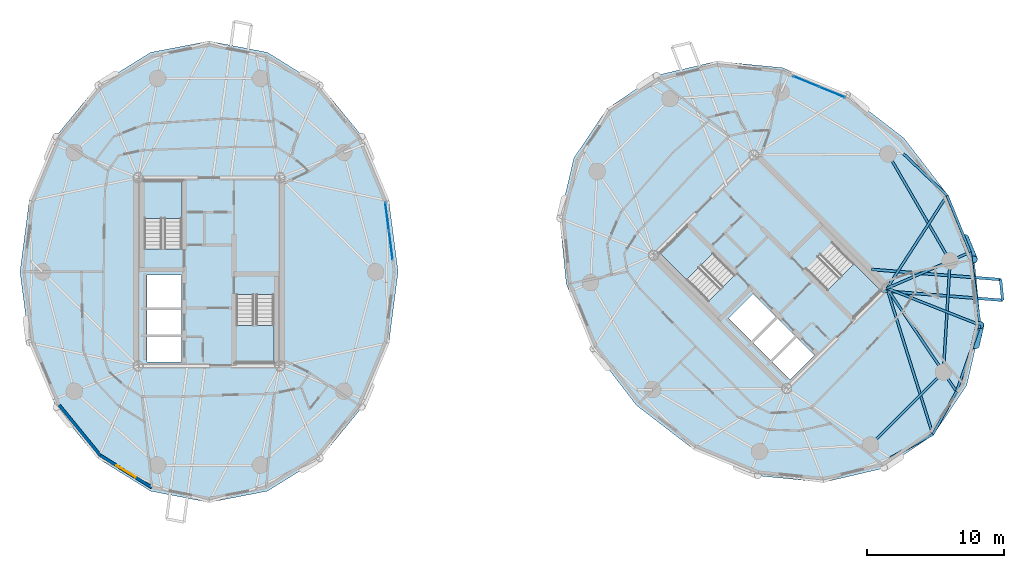
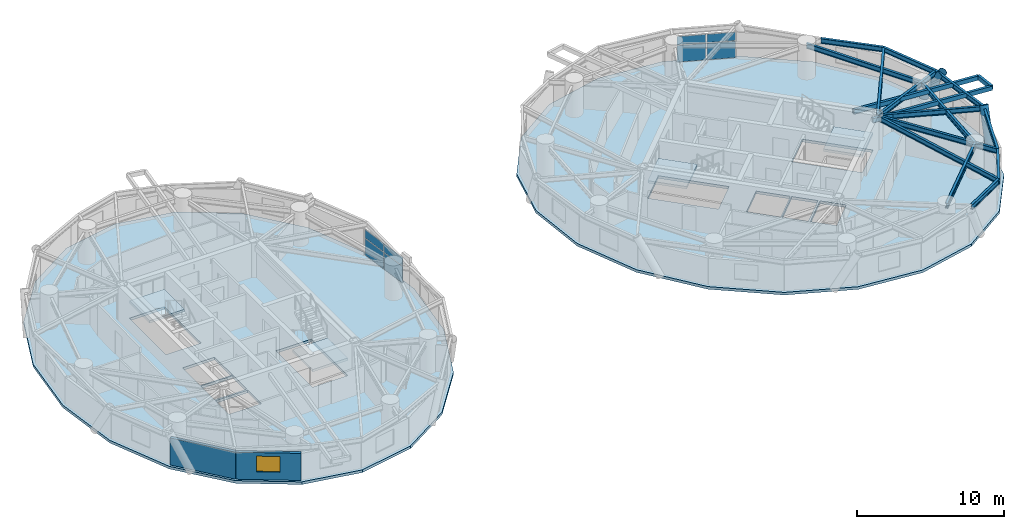
# One storey, part 8 of 17: 17 beams, 8 plates, 6 slabs, 2 members, 2 walls, 1 window, 1 opening, 6 elements without a shape of their own.
"""IFC4 building model written with IfcOpenShell, lengths in metres."""

from ifc_helpers import new_model, si_unit, direction, frame, frame_2d, origin, origin_2d, place, context, subcontext, project, spatial, polyline, rectangle, hollow_rectangle, hollow_circle, i_section, outline, extrude, source, transform, mapped, material, layer, layer_set, material_profile, profile_set, type_object, element, fill, aggregate, save


model = new_model("IFC4")

# Units and contexts
model_context = context("Model", 3, precision=1e-05, world=origin(), true_north=direction((0.0, 1.0)))
body_context = subcontext(model_context, "Body", "Model", "MODEL_VIEW")
ifc_project = project(units=[si_unit("LENGTHUNIT", "METRE"), si_unit("AREAUNIT", "SQUARE_METRE"), si_unit("VOLUMEUNIT", "CUBIC_METRE"), si_unit("PLANEANGLEUNIT", "RADIAN"), si_unit("MASSUNIT", "GRAM", prefix="KILO")], contexts=[model_context])

# Site, building, storey
site_placement = place(None, origin())
site = spatial("IfcSite", under=ifc_project, at=site_placement, CompositionType="ELEMENT")
building_placement = place(site_placement, origin())
building = spatial("IfcBuilding", under=site, at=building_placement, Name="Cununo Teusaquillo Station Towers", CompositionType="ELEMENT")
storey_placement = place(building_placement, frame((0.0, 0.0, 174.8798828125)))
storey = spatial("IfcBuildingStorey", under=building, at=storey_placement, Name="L55", CompositionType="ELEMENT", Elevation=174.8798828125)

# Beams
ifc_material_1 = material(Name="Steel EN 10025-2 S355J2", Category="steel")
ifc_material_profile_1 = material_profile(ifc_material_1, hollow_rectangle(XDim=0.199951171875, YDim=0.35009765625, WallThickness=0.013916015625, at=origin_2d()), Name="RHS 350x200x14")
ifc_profile_set_1 = profile_set([ifc_material_profile_1], Name="Steel EN 10025-2 S355J2")
beam_type_1 = type_object("IfcBeamType", Name="BM-BAL-CANT", PredefinedType="BEAM", material=ifc_profile_set_1)
beam_1_placement = place(storey_placement, frame((65.52392578125, 23.119384765625, 2.51513671875), z_axis=(0.996935259879, -0.078230988808, 0.0), x_axis=(0.078230988808, 0.996935259879, 0.0)))
element("IfcBeam", 1, at=beam_1_placement, inside=storey, type_object=beam_type_1, Name="L55 Tower B Balcony Cantilever Bracket 2A", PredefinedType="BEAM", context=body_context, shape_type="SweptSolid", body=[
    extrude(hollow_rectangle(XDim=0.199951171875, YDim=0.35009765625, WallThickness=0.013916015625, at=origin_2d()), origin(), (0.0, 0.0, 1.0), 8.978515625),
])
beam_2_placement = place(storey_placement, frame((64.895751953125, 24.670166015625, 2.51513671875), z_axis=(0.996934707517, -0.07823802751, 0.0), x_axis=(0.07823802751, 0.996934707517, 0.0)))
element("IfcBeam", 2, at=beam_2_placement, inside=storey, type_object=beam_type_1, Name="L55 Tower B Balcony Cantilever Bracket 2B", PredefinedType="BEAM", context=body_context, shape_type="SweptSolid", body=[
    extrude(hollow_rectangle(XDim=0.199951171875, YDim=0.35009765625, WallThickness=0.013916015625, at=origin_2d()), origin(), (0.0, 0.0, 1.0), 9.458251953125),
])
ifc_material_2 = material(Name="Steel ASTM A572 Grade 50", Category="steel")
ifc_material_profile_2 = material_profile(ifc_material_2, i_section(OverallWidth=0.180908203125, OverallDepth=0.4169921875, WebThickness=0.010986328125, FlangeThickness=0.018310546875, FilletRadius=0.012939453125, at=origin_2d()), Name="W16X57")
ifc_profile_set_2 = profile_set([ifc_material_profile_2], Name="Steel ASTM A572 Grade 50")
beam_type_2 = type_object("IfcBeamType", Name="BM-JOIST-1", PredefinedType="JOIST", material=ifc_profile_set_2)
beam_3_placement = place(storey_placement, frame((66.024169921875, 23.29443359375, 2.481689453125), z_axis=(0.29947962656, -0.954102695351, 0.0), x_axis=(0.954102695351, 0.29947962656, 0.0)))
element("IfcBeam", 3, at=beam_3_placement, inside=storey, type_object=beam_type_2, Name="L55 Tower B Radial Spandrel Joist V15", PredefinedType="JOIST", context=body_context, shape_type="SweptSolid", body=[
    extrude(i_section(OverallWidth=0.180908203125, OverallDepth=0.4169921875, WebThickness=0.010986328125, FlangeThickness=0.018310546875, FilletRadius=0.012939453125, at=origin_2d()), origin(), (0.0, 0.0, 1.0), 11.179931640625),
])
beam_4_placement = place(storey_placement, frame((66.024169921875, 23.29443359375, 2.481689453125), z_axis=(0.93009004426, -0.367331607091, 0.0), x_axis=(0.367331607091, 0.93009004426, 0.0)))
element("IfcBeam", 4, at=beam_4_placement, inside=storey, type_object=beam_type_2, Name="L55 Tower B Radial Spandrel Joist V17", PredefinedType="JOIST", context=body_context, shape_type="SweptSolid", body=[
    extrude(i_section(OverallWidth=0.180908203125, OverallDepth=0.4169921875, WebThickness=0.010986328125, FlangeThickness=0.018310546875, FilletRadius=0.012939453125, at=origin_2d()), origin(), (0.0, 0.0, 1.0), 7.306884765625),
])
beam_5_placement = place(storey_placement, frame((66.024169921875, 23.29443359375, 2.481689453125), z_axis=(0.543440395394, 0.839447756954, 0.0), x_axis=(-0.839447756954, 0.543440395394, 0.0)))
element("IfcBeam", 5, at=beam_5_placement, inside=storey, type_object=beam_type_2, Name="L55 Tower B Radial Spandrel Joist V19", PredefinedType="JOIST", context=body_context, shape_type="SweptSolid", body=[
    extrude(i_section(OverallWidth=0.180908203125, OverallDepth=0.4169921875, WebThickness=0.010986328125, FlangeThickness=0.018310546875, FilletRadius=0.012939453125, at=origin_2d()), origin(), (0.0, 0.0, 1.0), 8.08203125),
])
ifc_material_3 = material(Name="Steel ASTM A572 Grade 50", Category="steel")
ifc_material_profile_3 = material_profile(ifc_material_3, i_section(OverallWidth=0.180908203125, OverallDepth=0.4169921875, WebThickness=0.010986328125, FlangeThickness=0.018310546875, FilletRadius=0.012939453125, at=origin_2d()), Name="W16X57")
ifc_profile_set_3 = profile_set([ifc_material_profile_3], Name="Steel ASTM A572 Grade 50")
beam_type_3 = type_object("IfcBeamType", Name="BM-RAD-G2", PredefinedType="BEAM", material=ifc_profile_set_3)
beam_6_placement = place(storey_placement, frame((66.024169921875, 23.29443359375, 2.481689453125), z_axis=(0.558570989907, -0.829456719326, 0.0), x_axis=(0.829456719326, 0.558570989907, 0.0)))
element("IfcBeam", 6, at=beam_6_placement, inside=storey, type_object=beam_type_3, Name="L55 Tower B Continuous Overhanging Radial Girder 09", PredefinedType="BEAM", context=body_context, shape_type="SweptSolid", body=[
    extrude(i_section(OverallWidth=0.180908203125, OverallDepth=0.4169921875, WebThickness=0.010986328125, FlangeThickness=0.018310546875, FilletRadius=0.012939453125, at=origin_2d()), origin(), (0.0, 0.0, 1.0), 9.097412109375),
])
beam_7_placement = place(storey_placement, frame((66.024169921875, 23.29443359375, 2.481689453125), z_axis=(0.917664823247, 0.397355347486, 0.0), x_axis=(-0.397355347486, 0.917664823247, 0.0)))
element("IfcBeam", 7, at=beam_7_placement, inside=storey, type_object=beam_type_3, Name="L55 Tower B Continuous Overhanging Radial Girder 10", PredefinedType="BEAM", context=body_context, shape_type="SweptSolid", body=[
    extrude(i_section(OverallWidth=0.180908203125, OverallDepth=0.4169921875, WebThickness=0.010986328125, FlangeThickness=0.018310546875, FilletRadius=0.012939453125, at=origin_2d()), origin(), (0.0, 0.0, 1.0), 6.632080078125),
])
ifc_material_4 = material(Name="Steel ASTM A572 Grade 50", Category="steel")
ifc_material_profile_4 = material_profile(ifc_material_4, i_section(OverallWidth=0.180908203125, OverallDepth=0.4169921875, WebThickness=0.010986328125, FlangeThickness=0.018310546875, FilletRadius=0.012939453125, at=origin_2d()), Name="W16X57")
ifc_profile_set_4 = profile_set([ifc_material_profile_4], Name="Steel ASTM A572 Grade 50")
beam_type_4 = type_object("IfcBeamType", Name="BM-RING-Z3", PredefinedType="SPANDREL", material=ifc_profile_set_4)
beam_8_placement = place(storey_placement, frame((64.826904296875, 11.853759765625, 2.481689453125), z_axis=(0.707106781187, 0.707106781187, 0.0), x_axis=(-0.707106781187, 0.707106781187, 0.0)))
element("IfcBeam", 8, at=beam_8_placement, inside=storey, type_object=beam_type_4, Name="L55 Tower B Structural Column Ring Girder 08", PredefinedType="SPANDREL", context=body_context, shape_type="SweptSolid", body=[
    extrude(i_section(OverallWidth=0.180908203125, OverallDepth=0.4169921875, WebThickness=0.010986328125, FlangeThickness=0.018310546875, FilletRadius=0.012939453125, at=origin_2d()), origin(), (0.0, 0.0, 1.0), 7.522705078125),
])
beam_9_placement = place(storey_placement, frame((70.146240234375, 17.173095703125, 2.481689453125), z_axis=(0.06012979176, 0.998190567048, 0.0), x_axis=(-0.998190567048, 0.06012979176, 0.0)))
element("IfcBeam", 9, at=beam_9_placement, inside=storey, type_object=beam_type_4, Name="L55 Tower B Structural Column Ring Girder 09", PredefinedType="SPANDREL", context=body_context, shape_type="SweptSolid", body=[
    extrude(i_section(OverallWidth=0.180908203125, OverallDepth=0.4169921875, WebThickness=0.010986328125, FlangeThickness=0.018310546875, FilletRadius=0.012939453125, at=origin_2d()), origin(), (0.0, 0.0, 1.0), 8.132568359375),
])
beam_10_placement = place(storey_placement, frame((70.63525390625, 25.291015625, 2.481689453125), z_axis=(-0.501311121078, 0.865267103202, 0.0), x_axis=(-0.865267103202, -0.501311121078, 0.0)))
element("IfcBeam", 10, at=beam_10_placement, inside=storey, type_object=beam_type_4, Name="L55 Tower B Structural Column Ring Girder 10", PredefinedType="SPANDREL", context=body_context, shape_type="SweptSolid", body=[
    extrude(i_section(OverallWidth=0.180908203125, OverallDepth=0.4169921875, WebThickness=0.010986328125, FlangeThickness=0.018310546875, FilletRadius=0.012939453125, at=origin_2d()), origin(), (0.0, 0.0, 1.0), 9.032958984375),
])
for number, where, z_axis, x_axis, name in (
    (11, (66.25146484375, 10.894287109375, 2.481689453125), (0.874205659621, 0.485555830659, 0.0), (-0.485555830659, 0.874205659621, 0.0), "L55 Tower B Spandrel Ring Beam 15"),
    (12, (69.372314453125, 12.627685546875, 2.481689453125), (0.485555830659, 0.874205659621, 0.0), (-0.874205659621, 0.485555830659, 0.0), "L55 Tower B Spandrel Ring Beam 16"),
):
    element("IfcBeam", number, at=place(storey_placement, frame(where, z_axis=z_axis, x_axis=x_axis)), inside=storey, type_object=beam_type_4, Name=name, PredefinedType="SPANDREL", context=body_context, shape_type="SweptSolid", body=[
        extrude(i_section(OverallWidth=0.180908203125, OverallDepth=0.4169921875, WebThickness=0.010986328125, FlangeThickness=0.018310546875, FilletRadius=0.012939453125, at=origin_2d()), origin(), (0.0, 0.0, 1.0), 3.56982421875),
    ])
beam_11_placement = place(storey_placement, frame((71.105712890625, 15.74853515625, 2.481689453125), z_axis=(0.332589733158, 0.943071614141, 0.0), x_axis=(-0.943071614141, 0.332589733158, 0.0)))
element("IfcBeam", 13, at=beam_11_placement, inside=storey, type_object=beam_type_4, Name="L55 Tower B Spandrel Ring Beam 17", PredefinedType="SPANDREL", context=body_context, shape_type="SweptSolid", body=[
    extrude(i_section(OverallWidth=0.180908203125, OverallDepth=0.4169921875, WebThickness=0.010986328125, FlangeThickness=0.018310546875, FilletRadius=0.012939453125, at=origin_2d()), origin(), (0.0, 0.0, 1.0), 5.1552734375),
])
beam_12_placement = place(storey_placement, frame((72.8203125, 20.6103515625, 2.481689453125), z_axis=(-0.132339532096, 0.991204443213, 0.0), x_axis=(-0.991204443213, -0.132339532096, 0.0)))
element("IfcBeam", 14, at=beam_12_placement, inside=storey, type_object=beam_type_4, Name="L55 Tower B Spandrel Ring Beam 18", PredefinedType="SPANDREL", context=body_context, shape_type="SweptSolid", body=[
    extrude(i_section(OverallWidth=0.180908203125, OverallDepth=0.4169921875, WebThickness=0.010986328125, FlangeThickness=0.018310546875, FilletRadius=0.012939453125, at=origin_2d()), origin(), (0.0, 0.0, 1.0), 5.366455078125),
])
beam_13_placement = place(storey_placement, frame((72.110107421875, 25.9296875, 2.481689453125), z_axis=(-0.377956082264, 0.925823525235, 0.0), x_axis=(-0.925823525235, -0.377956082264, 0.0)))
element("IfcBeam", 15, at=beam_13_placement, inside=storey, type_object=beam_type_4, Name="L55 Tower B Spandrel Ring Beam 19", PredefinedType="SPANDREL", context=body_context, shape_type="SweptSolid", body=[
    extrude(i_section(OverallWidth=0.180908203125, OverallDepth=0.4169921875, WebThickness=0.010986328125, FlangeThickness=0.018310546875, FilletRadius=0.012939453125, at=origin_2d()), origin(), (0.0, 0.0, 1.0), 4.481689453125),
])
beam_14_placement = place(storey_placement, frame((70.416259765625, 30.078857421875, 2.481689453125), z_axis=(-0.723501643849, 0.690322657421, 0.0), x_axis=(-0.690322657421, -0.723501643849, 0.0)))
element("IfcBeam", 16, at=beam_14_placement, inside=storey, type_object=beam_type_4, Name="L55 Tower B Spandrel Ring Beam 20", PredefinedType="SPANDREL", context=body_context, shape_type="SweptSolid", body=[
    extrude(i_section(OverallWidth=0.180908203125, OverallDepth=0.4169921875, WebThickness=0.010986328125, FlangeThickness=0.018310546875, FilletRadius=0.012939453125, at=origin_2d()), origin(), (0.0, 0.0, 1.0), 4.400146484375),
])
ifc_material_5 = material(Name="Steel EN 10025-2 S355J2", Category="steel")
ifc_material_profile_5 = material_profile(ifc_material_5, hollow_rectangle(XDim=0.199951171875, YDim=0.35009765625, WallThickness=0.013916015625, at=origin_2d()), Name="RHS 350x200x14")
ifc_profile_set_5 = profile_set([ifc_material_profile_5], Name="Steel EN 10025-2 S355J2")
beam_type_5 = type_object("IfcBeamType", Name="BM-STAIR-TRIM", PredefinedType="BEAM", material=ifc_profile_set_5)
beam_15_placement = place(storey_placement, frame((74.474853515625, 22.4169921875, 2.525146484375), z_axis=(-0.098581668887, 0.995128963783, 0.0), x_axis=(-0.995128963783, -0.098581668887, 0.0)))
element("IfcBeam", 17, at=beam_15_placement, inside=storey, type_object=beam_type_5, Name="L55 Tower B Balcony Edge Trimmer Beam 2", PredefinedType="BEAM", context=body_context, shape_type="SweptSolid", body=[
    extrude(hollow_rectangle(XDim=0.199951171875, YDim=0.35009765625, WallThickness=0.013916015625, at=origin_2d()), origin(), (0.0, 0.0, 1.0), 1.5205078125),
])

# Members
ifc_material_6 = material(Name="Steel EN 10025-2 S355J2", Category="steel")
ifc_material_profile_6 = material_profile(ifc_material_6, hollow_circle(Radius=0.304931640625, WallThickness=0.02001953125, at=origin_2d()), Name="CHS 610x20")
ifc_profile_set_6 = profile_set([ifc_material_profile_6], Name="Steel EN 10025-2 S355J2")
member_type = type_object("IfcMemberType", Name="MBR-DIAG-Z3", PredefinedType="BRACE", material=ifc_profile_set_6)
member_1_placement = place(storey_placement, frame((72.478759765625, 19.144775390625, -0.139892578125), z_axis=(0.104259152832, 0.447367901679, 0.888252210579), x_axis=(-0.973902205409, 0.226968046871, 0.0)))
element("IfcMember", 18, at=member_1_placement, inside=storey, type_object=member_type, Name="L55 Tower B Folded-Zigzag Diagrid Tube C16", PredefinedType="BRACE", context=body_context, shape_type="SweptSolid", body=[
    extrude(hollow_circle(Radius=0.304931640625, WallThickness=0.02001953125, at=origin_2d()), origin(), (0.0, 0.0, 1.0), 3.27587890625),
])
member_2_placement = place(storey_placement, frame((71.701904296875, 26.95166015625, -0.139892578125), z_axis=(0.191014646417, -0.464587085322, 0.864680429411), x_axis=(0.924878366582, 0.380263076079, 0.0)))
element("IfcMember", 19, at=member_2_placement, inside=storey, type_object=member_type, Name="L55 Tower B Folded-Zigzag Diagrid Tube C18", PredefinedType="BRACE", context=body_context, shape_type="SweptSolid", body=[
    extrude(hollow_circle(Radius=0.304931640625, WallThickness=0.02001953125, at=origin_2d()), origin(), (0.0, 0.0, 1.0), 3.365234375),
])

# Stair, slab
ifc_material_7 = material(Name="Concrete C50/60", Category="concrete")
stair_type = type_object("IfcStairType", Name="ST-TWR-1300", PredefinedType="HALF_TURN_STAIR", material=ifc_material_7)
stair_1_placement = place(storey_placement, origin())
stair_1 = element("IfcStair", 20, at=stair_1_placement, inside=storey, type_object=stair_type, Name="L55 Tower A Protected Core Exit Stair 1", PredefinedType="HALF_TURN_STAIR")
ifc_material_8 = material(Name="Concrete C50/60", Category="concrete")
ifc_layer_1 = layer(ifc_material_8, 0.199951171875)
ifc_layer_set_1 = layer_set([ifc_layer_1], Name="Concrete C50/60")
slab_type_1 = type_object("IfcSlabType", Name="SLB-STAIR-LND", PredefinedType="LANDING", material=ifc_layer_set_1)
slab_1_placement = place(storey_placement, frame((0.0, 0.0, 1.255126953125)))
slab_1 = element("IfcSlab", 21, at=slab_1_placement, type_object=slab_type_1, Name="ST-T1-1 landing 1", PredefinedType="LANDING", context=body_context, shape_type="SweptSolid", body=[
    extrude(outline(polyline([(14.52001953125, 28.409912109375), (14.52001953125, 31.159912109375), (11.760009765625, 31.159912109375), (11.760009765625, 28.409912109375), (14.52001953125, 28.409912109375)])), origin(), (0.0, 0.0, 1.0), 0.199951171875),
])
aggregate(stair_1, [slab_1])

stair_2_placement = place(storey_placement, origin())
stair_2 = element("IfcStair", 22, at=stair_2_placement, inside=storey, type_object=stair_type, Name="L55 Tower A Protected Core Exit Stair 2", PredefinedType="HALF_TURN_STAIR")
slab_2_placement = place(storey_placement, frame((0.0, 0.0, 1.255126953125)))
slab_2 = element("IfcSlab", 23, at=slab_2_placement, type_object=slab_type_1, Name="ST-T1-2 landing 1", PredefinedType="LANDING", context=body_context, shape_type="SweptSolid", body=[
    extrude(outline(polyline([(18.47998046875, 20.590087890625), (18.47998046875, 17.840087890625), (21.239990234375, 17.840087890625), (21.239990234375, 20.590087890625), (18.47998046875, 20.590087890625)])), origin(), (0.0, 0.0, 1.0), 0.199951171875),
])
aggregate(stair_2, [slab_2])

stair_3_placement = place(storey_placement, origin())
stair_3 = element("IfcStair", 24, at=stair_3_placement, inside=storey, type_object=stair_type, Name="L55 Tower B Protected Core Exit Stair 1", PredefinedType="HALF_TURN_STAIR")
slab_3_placement = place(storey_placement, frame((0.0, 0.0, 1.255126953125)))
slab_3 = element("IfcSlab", 25, at=slab_3_placement, type_object=slab_type_1, Name="ST-T2-1 landing 1", PredefinedType="LANDING", context=body_context, shape_type="SweptSolid", body=[
    extrude(outline(polyline([(53.335205078125, 25.86474609375), (51.390625, 27.809326171875), (49.43896484375, 25.857666015625), (51.383544921875, 23.9130859375), (53.335205078125, 25.86474609375)])), origin(), (0.0, 0.0, 1.0), 0.199951171875),
])
aggregate(stair_3, [slab_3])

stair_4_placement = place(storey_placement, origin())
stair_4 = element("IfcStair", 26, at=stair_4_placement, inside=storey, type_object=stair_type, Name="L55 Tower B Protected Core Exit Stair 2", PredefinedType="HALF_TURN_STAIR")
slab_4_placement = place(storey_placement, frame((0.0, 0.0, 1.255126953125)))
slab_4 = element("IfcSlab", 27, at=slab_4_placement, type_object=slab_type_1, Name="ST-T2-2 landing 1", PredefinedType="LANDING", context=body_context, shape_type="SweptSolid", body=[
    extrude(outline(polyline([(61.664794921875, 23.13525390625), (63.609375, 21.190673828125), (65.56103515625, 23.142333984375), (63.616455078125, 25.0869140625), (61.664794921875, 23.13525390625)])), origin(), (0.0, 0.0, 1.0), 0.199951171875),
])
aggregate(stair_4, [slab_4])

# Slabs
ifc_material_9 = material(Name="Concrete C40/50", Category="concrete")
ifc_layer_2 = layer(ifc_material_9, 0.219970703125)
ifc_layer_set_2 = layer_set([ifc_layer_2], Name="Concrete C40/50")
slab_type_2 = type_object("IfcSlabType", Name="SLB-Z3-220", PredefinedType="FLOOR", material=ifc_layer_set_2)
slab_5_placement = place(storey_placement, frame((0.0, 0.0, -0.219970703125)))
element("IfcSlab", 28, at=slab_5_placement, inside=storey, type_object=slab_type_2, Name="L55 Tower A Floor Slab", PredefinedType="FLOOR", context=body_context, shape_type="SweptSolid", body=[
    extrude(outline(polyline([(30.31103515625, 24.5), (29.635009765625, 29.706787109375), (27.67333984375, 34.404296875), (24.617919921875, 38.1318359375), (20.767822265625, 40.525390625), (16.5, 41.35009765625), (12.232177734375, 40.525390625), (8.382080078125, 38.1318359375), (5.32666015625, 34.404296875), (3.364990234375, 29.706787109375), (2.68896484375, 24.5), (3.364990234375, 19.293212890625), (5.32666015625, 14.595703125), (8.382080078125, 10.8681640625), (12.232177734375, 8.474609375), (16.5, 7.64990234375), (20.767822265625, 8.474609375), (24.617919921875, 10.8681640625), (27.67333984375, 14.595703125), (29.635009765625, 19.293212890625), (30.31103515625, 24.5)]), holes=[polyline([(14.52001953125, 26.176025390625), (14.52001953125, 31.159912109375), (11.760009765625, 31.159912109375), (11.760009765625, 26.176025390625), (14.52001953125, 26.176025390625)]), polyline([(18.47998046875, 22.823974609375), (18.47998046875, 17.840087890625), (21.239990234375, 17.840087890625), (21.239990234375, 22.823974609375), (18.47998046875, 22.823974609375)]), polyline([(11.949951171875, 21.85009765625), (14.47998046875, 21.85009765625), (14.47998046875, 24.25), (11.949951171875, 24.25), (11.949951171875, 21.85009765625)]), polyline([(11.949951171875, 17.89990234375), (14.47998046875, 17.89990234375), (14.47998046875, 19.75), (11.949951171875, 19.75), (11.949951171875, 17.89990234375)]), polyline([(11.949951171875, 19.89990234375), (14.47998046875, 19.89990234375), (14.47998046875, 21.75), (11.949951171875, 21.75), (11.949951171875, 19.89990234375)])]), origin(), (0.0, 0.0, 1.0), 0.219970703125),
])
slab_6_placement = place(storey_placement, frame((0.0, 0.0, -0.219970703125)))
element("IfcSlab", 29, at=slab_6_placement, inside=storey, type_object=slab_type_2, Name="L55 Tower B Floor Slab", PredefinedType="FLOOR", context=body_context, shape_type="SweptSolid", body=[
    extrude(outline(polyline([(67.265869140625, 34.265869140625), (63.10595703125, 37.4697265625), (58.3974609375, 39.404052734375), (53.60107421875, 39.87939453125), (49.186279296875, 38.849365234375), (45.585205078125, 36.414794921875), (43.150634765625, 32.813720703125), (42.12060546875, 28.39892578125), (42.595947265625, 23.6025390625), (44.5302734375, 18.89404296875), (47.734130859375, 14.734130859375), (51.89404296875, 11.5302734375), (56.6025390625, 9.595947265625), (61.39892578125, 9.12060546875), (65.813720703125, 10.150634765625), (69.414794921875, 12.585205078125), (71.849365234375, 16.186279296875), (72.87939453125, 20.60107421875), (72.404052734375, 25.3974609375), (70.4697265625, 30.10595703125), (67.265869140625, 34.265869140625)]), holes=[polyline([(54.914794921875, 24.28515625), (51.390625, 27.809326171875), (49.43896484375, 25.857666015625), (52.963134765625, 22.33349609375), (54.914794921875, 24.28515625)]), polyline([(60.085205078125, 24.71484375), (63.609375, 21.190673828125), (65.56103515625, 23.142333984375), (62.036865234375, 26.66650390625), (60.085205078125, 24.71484375)]), polyline([(56.156494140625, 19.40869140625), (57.945556640625, 21.19775390625), (56.248291015625, 22.89501953125), (54.45947265625, 21.10595703125), (56.156494140625, 19.40869140625)]), polyline([(58.94970703125, 16.61572265625), (60.738525390625, 18.40478515625), (59.430419921875, 19.712890625), (57.641357421875, 17.923828125), (58.94970703125, 16.61572265625)]), polyline([(57.535400390625, 18.030029296875), (59.32421875, 19.819091796875), (58.01611328125, 21.127197265625), (56.227294921875, 19.338134765625), (57.535400390625, 18.030029296875)])]), origin(), (0.0, 0.0, 1.0), 0.219970703125),
])

# Curtain wall, plates
ifc_material_10 = material(Name="Operable acoustic tinted low-E double glazing", Category="glass")
ifc_layer_3 = layer(ifc_material_10, 0.179931640625)
ifc_layer_set_3 = layer_set([ifc_layer_3], Name="Operable acoustic tinted low-E double glazing")
curtain_wall_type = type_object("IfcCurtainWallType", Name="CW-SYS-06", PredefinedType="USERDEFINED", material=ifc_layer_set_3)
curtain_wall_1_placement = place(storey_placement, origin())
curtain_wall_1 = element("IfcCurtainWall", 30, at=curtain_wall_1_placement, inside=storey, type_object=curtain_wall_type, Name="L55 Tower A Facade Curtain Wall C00", ObjectType="OPERABLE GLAZING", PredefinedType="USERDEFINED")
ifc_material_11 = material(Name="Operable acoustic tinted low-E double glazing", Category="glass")
ifc_layer_4 = layer(ifc_material_11, 0.031982421875)
ifc_layer_set_4 = layer_set([ifc_layer_4], Name="Operable acoustic tinted low-E double glazing")
plate_type = type_object("IfcPlateType", Name="CWP-OPER-32", PredefinedType="CURTAIN_PANEL", material=ifc_layer_set_4)
shared_shape_1 = source(origin(), body_context, "Body", "SweptSolid", [
    extrude(rectangle(XDim=2.05908203125, YDim=0.031982421875, at=origin_2d()), origin(), (0.0, 0.0, 1.0), 1.361572265625),
])
plate_1_placement = place(storey_placement, frame((29.509033203125, 28.534912109375, 0.06494140625), z_axis=(0.0, 0.0, 1.0), x_axis=(0.128285462927, -0.991737283761, 0.0)))
plate_1 = element("IfcPlate", 31, at=plate_1_placement, type_object=plate_type, Name="CW-06 panel 1.1", PredefinedType="CURTAIN_PANEL", context=body_context, shape_type="MappedRepresentation", body=[
    mapped(shared_shape_1, transform((0.0, 0.0, 0.0), x_axis=(1.0, 0.0, 0.0), y_axis=(0.0, 1.0, 0.0), z_axis=(0.0, 0.0, 1.0), scale=1.0)),
])
plate_2_placement = place(storey_placement, frame((29.781494140625, 26.428466796875, 0.06494140625), z_axis=(0.0, 0.0, 1.0), x_axis=(0.128285462927, -0.991737283761, 0.0)))
plate_2 = element("IfcPlate", 32, at=plate_2_placement, type_object=plate_type, Name="CW-06 panel 2.1", PredefinedType="CURTAIN_PANEL", context=body_context, shape_type="MappedRepresentation", body=[
    mapped(shared_shape_1, transform((0.0, 0.0, 0.0), x_axis=(1.0, 0.0, 0.0), y_axis=(0.0, 1.0, 0.0), z_axis=(0.0, 0.0, 1.0), scale=1.0)),
])
shared_shape_2 = source(origin(), body_context, "Body", "SweptSolid", [
    extrude(rectangle(XDim=2.05908203125, YDim=0.031982421875, at=origin_2d()), origin(), (0.0, 0.0, 1.0), 0.6884765625),
])
plate_3_placement = place(storey_placement, frame((29.509033203125, 28.534912109375, 1.49169921875), z_axis=(0.0, 0.0, 1.0), x_axis=(0.128285462927, -0.991737283761, 0.0)))
plate_3 = element("IfcPlate", 33, at=plate_3_placement, type_object=plate_type, Name="CW-06 panel 1.2", PredefinedType="CURTAIN_PANEL", context=body_context, shape_type="MappedRepresentation", body=[
    mapped(shared_shape_2, transform((0.0, 0.0, 0.0), x_axis=(1.0, 0.0, 0.0), y_axis=(0.0, 1.0, 0.0), z_axis=(0.0, 0.0, 1.0), scale=1.0)),
])
plate_4_placement = place(storey_placement, frame((29.781494140625, 26.428466796875, 1.49169921875), z_axis=(0.0, 0.0, 1.0), x_axis=(0.128285462927, -0.991737283761, 0.0)))
plate_4 = element("IfcPlate", 34, at=plate_4_placement, type_object=plate_type, Name="CW-06 panel 2.2", PredefinedType="CURTAIN_PANEL", context=body_context, shape_type="MappedRepresentation", body=[
    mapped(shared_shape_2, transform((0.0, 0.0, 0.0), x_axis=(1.0, 0.0, 0.0), y_axis=(0.0, 1.0, 0.0), z_axis=(0.0, 0.0, 1.0), scale=1.0)),
])
aggregate(curtain_wall_1, [plate_1, plate_3, plate_2, plate_4])

curtain_wall_2_placement = place(storey_placement, origin())
curtain_wall_2 = element("IfcCurtainWall", 35, at=curtain_wall_2_placement, inside=storey, type_object=curtain_wall_type, Name="L55 Tower B Facade Curtain Wall C01", ObjectType="OPERABLE GLAZING", PredefinedType="USERDEFINED")
shared_shape_3 = source(origin(), body_context, "Body", "SweptSolid", [
    extrude(rectangle(XDim=1.97900390625, YDim=0.031982421875, at=origin_2d()), origin(), (0.0, 0.0, 1.0), 1.361572265625),
])
plate_5_placement = place(storey_placement, frame((60.1142578125, 38.4013671875, 0.06494140625), z_axis=(0.0, 0.0, 1.0), x_axis=(0.924480504803, -0.381229322376, 0.0)))
plate_5 = element("IfcPlate", 36, at=plate_5_placement, type_object=plate_type, Name="CW-06 panel 1.1", PredefinedType="CURTAIN_PANEL", context=body_context, shape_type="MappedRepresentation", body=[
    mapped(shared_shape_3, transform((0.0, 0.0, 0.0), x_axis=(1.0, 0.0, 0.0), y_axis=(0.0, 1.0, 0.0), z_axis=(0.0, 0.0, 1.0), scale=1.0)),
])
plate_6_placement = place(storey_placement, frame((62.00390625, 37.622314453125, 0.06494140625), z_axis=(0.0, 0.0, 1.0), x_axis=(0.924480504803, -0.381229322376, 0.0)))
plate_6 = element("IfcPlate", 37, at=plate_6_placement, type_object=plate_type, Name="CW-06 panel 2.1", PredefinedType="CURTAIN_PANEL", context=body_context, shape_type="MappedRepresentation", body=[
    mapped(shared_shape_3, transform((0.0, 0.0, 0.0), x_axis=(1.0, 0.0, 0.0), y_axis=(0.0, 1.0, 0.0), z_axis=(0.0, 0.0, 1.0), scale=1.0)),
])
shared_shape_4 = source(origin(), body_context, "Body", "SweptSolid", [
    extrude(rectangle(XDim=1.97900390625, YDim=0.031982421875, at=origin_2d()), origin(), (0.0, 0.0, 1.0), 0.6884765625),
])
plate_7_placement = place(storey_placement, frame((60.1142578125, 38.4013671875, 1.49169921875), z_axis=(0.0, 0.0, 1.0), x_axis=(0.924480504803, -0.381229322376, 0.0)))
plate_7 = element("IfcPlate", 38, at=plate_7_placement, type_object=plate_type, Name="CW-06 panel 1.2", PredefinedType="CURTAIN_PANEL", context=body_context, shape_type="MappedRepresentation", body=[
    mapped(shared_shape_4, transform((0.0, 0.0, 0.0), x_axis=(1.0, 0.0, 0.0), y_axis=(0.0, 1.0, 0.0), z_axis=(0.0, 0.0, 1.0), scale=1.0)),
])
plate_8_placement = place(storey_placement, frame((62.00390625, 37.622314453125, 1.49169921875), z_axis=(0.0, 0.0, 1.0), x_axis=(0.924480504803, -0.381229322376, 0.0)))
plate_8 = element("IfcPlate", 39, at=plate_8_placement, type_object=plate_type, Name="CW-06 panel 2.2", PredefinedType="CURTAIN_PANEL", context=body_context, shape_type="MappedRepresentation", body=[
    mapped(shared_shape_4, transform((0.0, 0.0, 0.0), x_axis=(1.0, 0.0, 0.0), y_axis=(0.0, 1.0, 0.0), z_axis=(0.0, 0.0, 1.0), scale=1.0)),
])
aggregate(curtain_wall_2, [plate_5, plate_7, plate_6, plate_8])

# Wall
ifc_material_12 = material(Name="Precast concrete C40/50", Category="concrete")
ifc_layer_5 = layer(ifc_material_12, 0.219970703125)
ifc_layer_set_5 = layer_set([ifc_layer_5], Name="Precast concrete C40/50")
wall_type = type_object("IfcWallType", Name="WL-EXT-220", PredefinedType="SOLIDWALL", material=ifc_layer_set_5)
wall_1_placement = place(storey_placement, frame((8.546630859375, 11.094482421875, 0.0), z_axis=(0.0, 0.0, 1.0), x_axis=(-0.632470615287, 0.774584353572, 0.0)))
element("IfcWall", 40, at=wall_1_placement, inside=storey, type_object=wall_type, Name="L55 Tower A Exterior Facade Wall C12", PredefinedType="SOLIDWALL", context=body_context, shape_type="SweptSolid", body=[
    extrude(rectangle(XDim=4.73291015625, YDim=0.219970703125, at=frame_2d((2.366455078125, 0.0))), origin(), (0.0, 0.0, 1.0), 2.2451171875),
])

# Wall, opening, window
wall_2_placement = place(storey_placement, frame((12.318603515625, 8.740966796875, 0.0), z_axis=(0.0, 0.0, 1.0), x_axis=(-0.848399108042, 0.529357113368, 0.0)))
wall_2 = element("IfcWall", 41, at=wall_2_placement, inside=storey, type_object=wall_type, Name="L55 Tower A Exterior Facade Wall C13", PredefinedType="SOLIDWALL", context=body_context, shape_type="SweptSolid", body=[
    extrude(rectangle(XDim=4.446044921875, YDim=0.219970703125, at=frame_2d((2.22314453125, 0.0))), origin(), (0.0, 0.0, 1.0), 2.2451171875),
])
shared_shape_5 = source(origin(), body_context, "Body", "SweptSolid", [
    extrude(rectangle(XDim=1.60009765625, YDim=1.300048828125, at=frame_2d((0.800048828125, 0.64990234375))), frame((0.0, 0.119873046875, 0.0), z_axis=(0.0, -1.0, 0.0), x_axis=(1.0, 0.0, 0.0)), (0.0, 0.0, 1.0), 0.239990234375),
])
opening_placement = place(wall_2_placement, frame((1.423095703125, 0.0, 0.64990234375)))
opening = element("IfcOpeningElement", 42, at=opening_placement, cuts=wall_2, Name="Opening WN-03", PredefinedType="OPENING", context=body_context, shape_type="MappedRepresentation", body=[
    mapped(shared_shape_5, transform((0.0, 0.0, 0.0), x_axis=(1.0, 0.0, 0.0), y_axis=(0.0, 1.0, 0.0), z_axis=(0.0, 0.0, 1.0), scale=1.0)),
])
ifc_material_13 = material(Name="Ceramic-fritted dark low-E double glazing", Category="glass")
window_type = type_object("IfcWindowType", Name="WIN-CORN-1600", PartitioningType="SINGLE_PANEL", PredefinedType="WINDOW", material=ifc_material_13)
shared_shape_6 = source(origin(), body_context, "Body", "SweptSolid", [
    extrude(rectangle(XDim=1.60009765625, YDim=1.300048828125, at=frame_2d((0.800048828125, 0.64990234375))), frame((0.0, 0.030029296875, 0.0), z_axis=(0.0, -1.0, 0.0), x_axis=(1.0, 0.0, 0.0)), (0.0, 0.0, 1.0), 0.06005859375),
])
window_placement = place(opening_placement, origin())
window = element("IfcWindow", 43, at=window_placement, inside=storey, type_object=window_type, Name="L55 Tower A Facade Window C13", OverallHeight=1.300048828125, OverallWidth=1.60009765625, PartitioningType="SINGLE_PANEL", PredefinedType="WINDOW", context=body_context, shape_type="MappedRepresentation", body=[
    mapped(shared_shape_6, transform((0.0, 0.0, 0.0), x_axis=(1.0, 0.0, 0.0), y_axis=(0.0, 1.0, 0.0), z_axis=(0.0, 0.0, 1.0), scale=1.0)),
])
fill(opening, window)

save(model, "model.ifc")
